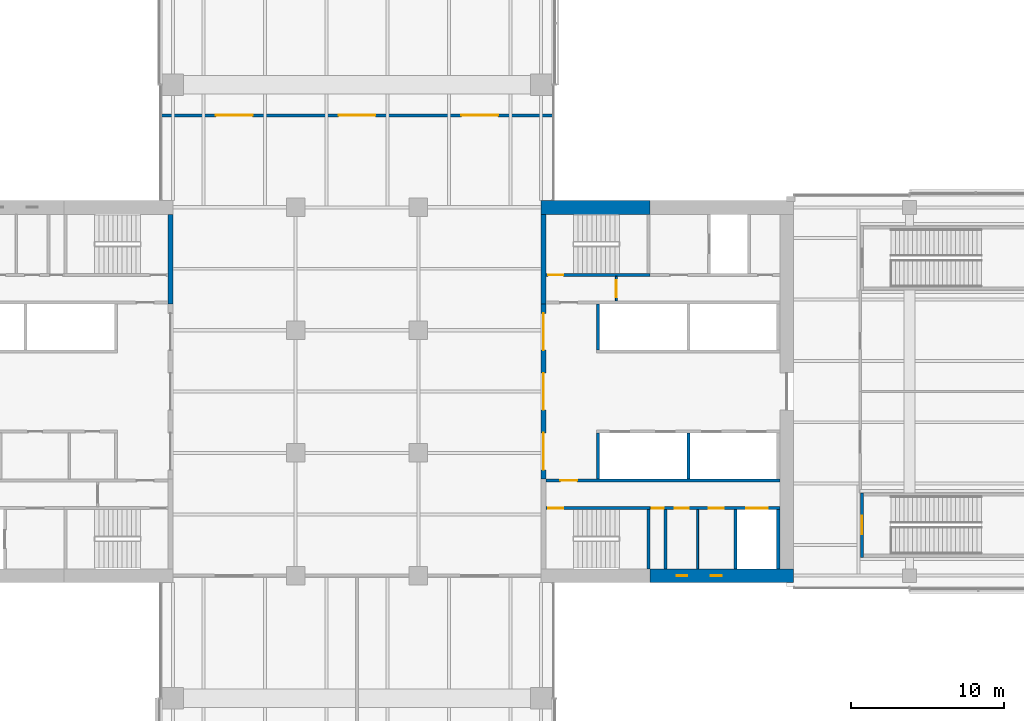
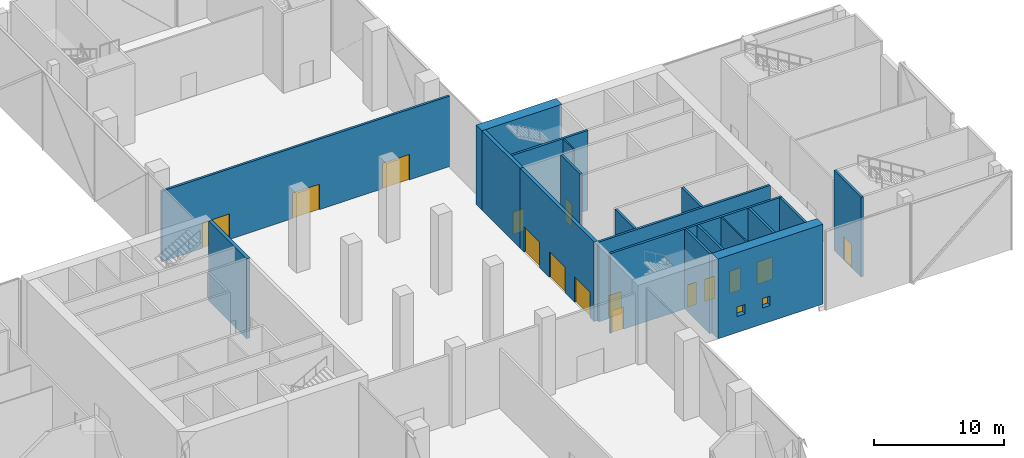
# One storey, part 16 of 25: 20 walls, 15 doors, 2 windows, 17 openings.
"""IFC4 building model written with IfcOpenShell, lengths in metres."""

from ifc_helpers import new_model, si_unit, direction, frame, frame_2d, origin, place, context, subcontext, project, spatial, rectangle, extrude, material, layer, layer_set, constituent, constituent_set, type_object, element, fill, save


model = new_model("IFC4")

# Units and contexts
model_context = context("Model", 3, precision=1e-05, world=origin(), true_north=direction((0.0, 1.0)))
body_context = subcontext(model_context, "Body", "Model", "MODEL_VIEW")
ifc_project = project(units=[si_unit("LENGTHUNIT", "METRE"), si_unit("AREAUNIT", "SQUARE_METRE"), si_unit("VOLUMEUNIT", "CUBIC_METRE"), si_unit("PLANEANGLEUNIT", "RADIAN"), si_unit("MASSUNIT", "GRAM", prefix="KILO")], contexts=[model_context])

# Site, building, storey
site_placement = place(None, origin())
site = spatial("IfcSite", under=ifc_project, at=site_placement, CompositionType="ELEMENT")
building_placement = place(site_placement, origin())
building = spatial("IfcBuilding", under=site, at=building_placement, Name="Crosswind Convention Tower", CompositionType="ELEMENT")
storey_placement = place(building_placement, frame((0.0, 0.0, 34.0)))
storey = spatial("IfcBuildingStorey", under=building, at=storey_placement, Name="L04", CompositionType="ELEMENT", Elevation=34.0)

# Wall
ifc_material_1 = material(Name="Concrete blockwork", Category="masonry")
ifc_layer_1 = layer(ifc_material_1, 0.199951171875)
ifc_layer_set_1 = layer_set([ifc_layer_1], Name="Blockwork partition wall 200")
wall_type_1 = type_object("IfcWallType", Name="Blockwork partition wall 200", PredefinedType="PARTITIONING", material=ifc_layer_set_1)
wall_1_placement = place(storey_placement, frame((145.10009765625, 88.449951171875, 0.0), z_axis=(0.0, 0.0, 1.0), x_axis=(0.0, 1.0, 0.0)))
element("IfcWall", 1, at=wall_1_placement, inside=storey, type_object=wall_type_1, Name="Wall MRSE E L04", PredefinedType="PARTITIONING", context=body_context, shape_type="SweptSolid", body=[
    extrude(rectangle(XDim=3.85009765625, YDim=0.199951171875, at=frame_2d((1.925048828125, 0.0))), origin(), (0.0, 0.0, 1.0), 7.5),
])

# Wall, openings, doors
ifc_material_2 = material(Name="Concrete C50/60", Category="concrete")
ifc_layer_2 = layer(ifc_material_2, 0.300048828125)
ifc_layer_set_2 = layer_set([ifc_layer_2], Name="Concrete C50/60")
wall_type_2 = type_object("IfcWallType", Name="Concrete inner core wall 300", PredefinedType="SHEAR", material=ifc_layer_set_2)
wall_2_placement = place(storey_placement, frame((137.14990234375, 94.300048828125, 0.0), z_axis=(0.0, 0.0, 1.0), x_axis=(0.0, 1.0, 0.0)))
wall_2 = element("IfcWall", 2, at=wall_2_placement, inside=storey, type_object=wall_type_2, Name="Wall SCR E L04", PredefinedType="SHEAR", context=body_context, shape_type="SweptSolid", body=[
    extrude(rectangle(XDim=11.39990234375, YDim=0.300048828125, at=frame_2d((5.699951171875, 0.0))), origin(), (0.0, 0.0, 1.0), 7.5),
])
opening_1_placement = place(wall_2_placement, frame((0.60009765625, 0.0, 0.0)))
opening_1 = element("IfcOpeningElement", 3, at=opening_1_placement, cuts=wall_2, Name="Opening D100", PredefinedType="OPENING", context=body_context, shape_type="SweptSolid", body=[
    extrude(rectangle(XDim=2.39990234375, YDim=2.39990234375, at=frame_2d((1.199951171875, 1.199951171875))), frame((0.0, 0.159912109375, 0.0), z_axis=(0.0, -1.0, 0.0), x_axis=(1.0, 0.0, 0.0)), (0.0, 0.0, 1.0), 0.320068359375),
])
opening_2_placement = place(wall_2_placement, frame((4.5, 0.0, 0.0)))
opening_2 = element("IfcOpeningElement", 4, at=opening_2_placement, cuts=wall_2, Name="Opening D100", PredefinedType="OPENING", context=body_context, shape_type="SweptSolid", body=[
    extrude(rectangle(XDim=2.39990234375, YDim=2.39990234375, at=frame_2d((1.199951171875, 1.199951171875))), frame((0.0, 0.159912109375, 0.0), z_axis=(0.0, -1.0, 0.0), x_axis=(1.0, 0.0, 0.0)), (0.0, 0.0, 1.0), 0.320068359375),
])
opening_3_placement = place(wall_2_placement, frame((8.39990234375, 0.0, 0.0)))
opening_3 = element("IfcOpeningElement", 5, at=opening_3_placement, cuts=wall_2, Name="Opening D100", PredefinedType="OPENING", context=body_context, shape_type="SweptSolid", body=[
    extrude(rectangle(XDim=2.39990234375, YDim=2.39990234375, at=frame_2d((1.199951171875, 1.199951171875))), frame((0.0, 0.159912109375, 0.0), z_axis=(0.0, -1.0, 0.0), x_axis=(1.0, 0.0, 0.0)), (0.0, 0.0, 1.0), 0.320068359375),
])
ifc_material_3 = material(Name="Steel fire door with glazed vision panels", Category="steel")
door_type_1 = type_object("IfcDoorType", Name="Fire-rated double door 2400x2400", OperationType="DOUBLE_DOOR_SINGLE_SWING", PredefinedType="DOOR", material=ifc_material_3)
door_1_placement = place(opening_1_placement, frame((2.39990234375, 0.0, 0.0), z_axis=(0.0, 0.0, 1.0), x_axis=(-1.0, 0.0, 0.0)))
door_1 = element("IfcDoor", 6, at=door_1_placement, inside=storey, type_object=door_type_1, Name="Lobby door 1 L04", ObjectType="D100", OperationType="DOUBLE_DOOR_SINGLE_SWING", OverallHeight=2.39990234375, OverallWidth=2.39990234375, PredefinedType="DOOR", context=body_context, shape_type="SweptSolid", body=[
    extrude(rectangle(XDim=2.39990234375, YDim=2.39990234375, at=frame_2d((1.199951171875, 1.199951171875))), frame((0.0, 0.02490234375, 0.0), z_axis=(0.0, -1.0, 0.0), x_axis=(1.0, 0.0, 0.0)), (0.0, 0.0, 1.0), 0.050048828125),
])
fill(opening_1, door_1)
door_2_placement = place(opening_2_placement, frame((2.39990234375, 0.0, 0.0), z_axis=(0.0, 0.0, 1.0), x_axis=(-1.0, 0.0, 0.0)))
door_2 = element("IfcDoor", 7, at=door_2_placement, inside=storey, type_object=door_type_1, Name="Lobby door 2 L04", ObjectType="D100", OperationType="DOUBLE_DOOR_SINGLE_SWING", OverallHeight=2.39990234375, OverallWidth=2.39990234375, PredefinedType="DOOR", context=body_context, shape_type="SweptSolid", body=[
    extrude(rectangle(XDim=2.39990234375, YDim=2.39990234375, at=frame_2d((1.199951171875, 1.199951171875))), frame((0.0, 0.02490234375, 0.0), z_axis=(0.0, -1.0, 0.0), x_axis=(1.0, 0.0, 0.0)), (0.0, 0.0, 1.0), 0.050048828125),
])
fill(opening_2, door_2)
door_3_placement = place(opening_3_placement, origin())
door_3 = element("IfcDoor", 8, at=door_3_placement, inside=storey, type_object=door_type_1, Name="Lobby door 3 L04", ObjectType="D100", OperationType="DOUBLE_DOOR_SINGLE_SWING", OverallHeight=2.39990234375, OverallWidth=2.39990234375, PredefinedType="DOOR", context=body_context, shape_type="SweptSolid", body=[
    extrude(rectangle(XDim=2.39990234375, YDim=2.39990234375, at=frame_2d((1.199951171875, 1.199951171875))), frame((0.0, 0.02490234375, 0.0), z_axis=(0.0, -1.0, 0.0), x_axis=(1.0, 0.0, 0.0)), (0.0, 0.0, 1.0), 0.050048828125),
])
fill(opening_3, door_3)

# Walls
for number, where, z_axis, x_axis, name in (
    (9, (137.14990234375, 105.699951171875, 0.0), (0.0, 0.0, 1.0), (0.0, 1.0, 0.0), "Wall EP E L04"),
    (10, (112.85009765625, 111.550048828125, 0.0), (0.0, 0.0, 1.0), (0.0, -1.0, 0.0), "Wall EM W L04"),
):
    element("IfcWall", number, at=place(storey_placement, frame(where, z_axis=z_axis, x_axis=x_axis)), inside=storey, type_object=wall_type_2, Name=name, PredefinedType="SHEAR", context=body_context, shape_type="SweptSolid", body=[
        extrude(rectangle(XDim=5.85009765625, YDim=0.300048828125, at=frame_2d((2.925048828125, 0.0))), origin(), (0.0, 0.0, 1.0), 7.5),
    ])
ifc_layer_3 = layer(ifc_material_2, 0.199951171875)
ifc_layer_set_3 = layer_set([ifc_layer_3], Name="Concrete C50/60")
wall_type_3 = type_object("IfcWallType", Name="Concrete shaft and stair wall 200", PredefinedType="SHEAR", material=ifc_layer_set_3)
for number, where, z_axis, x_axis, name in (
    (11, (140.699951171875, 102.699951171875, 0.0), (0.0, 0.0, 1.0), (0.0, 1.0, 0.0), "Wall RPEND E L04"),
    (12, (140.699951171875, 94.300048828125, 0.0), (0.0, 0.0, 1.0), (0.0, 1.0, 0.0), "Wall RMEND E L04"),
    (13, (146.60009765625, 94.300048828125, 0.0), (0.0, 0.0, 1.0), (0.0, 1.0, 0.0), "Wall RMSEP E L04"),
):
    element("IfcWall", number, at=place(storey_placement, frame(where, z_axis=z_axis, x_axis=x_axis)), inside=storey, type_object=wall_type_3, Name=name, PredefinedType="SHEAR", context=body_context, shape_type="SweptSolid", body=[
        extrude(rectangle(XDim=3.0, YDim=0.199951171875, at=frame_2d((1.5, 0.0))), origin(), (0.0, 0.0, 1.0), 7.5),
    ])

# Wall, opening, door
wall_3_placement = place(storey_placement, frame((137.300048828125, 107.60009765625, 0.0), z_axis=(0.0, 0.0, 1.0), x_axis=(1.0, 0.0, 0.0)))
wall_3 = element("IfcWall", 14, at=wall_3_placement, inside=storey, type_object=wall_type_3, Name="Wall PCW E L04", PredefinedType="SHEAR", context=body_context, shape_type="SweptSolid", body=[
    extrude(rectangle(XDim=6.800048828125, YDim=0.199951171875, at=frame_2d((3.39990234375, 0.0))), origin(), (0.0, 0.0, 1.0), 7.5),
])
opening_4_placement = place(wall_3_placement, frame((0.14990234375, 0.0, 0.0)))
opening_4 = element("IfcOpeningElement", 15, at=opening_4_placement, cuts=wall_3, Name="Opening D103", PredefinedType="OPENING", context=body_context, shape_type="SweptSolid", body=[
    extrude(rectangle(XDim=1.0, YDim=2.10009765625, at=frame_2d((0.5, 1.050048828125))), frame((0.0, 0.10986328125, 0.0), z_axis=(0.0, -1.0, 0.0), x_axis=(1.0, 0.0, 0.0)), (0.0, 0.0, 1.0), 0.219970703125),
])
ifc_material_4 = material(Name="Steel fire door", Category="steel")
door_type_2 = type_object("IfcDoorType", Name="Fire-rated single door 1000x2100", OperationType="NOTDEFINED", PredefinedType="DOOR", material=ifc_material_4)
door_4_placement = place(opening_4_placement, origin())
door_4 = element("IfcDoor", 16, at=door_4_placement, inside=storey, type_object=door_type_2, Name="Stair ST1 door L04", ObjectType="D103", OperationType="SINGLE_SWING_LEFT", OverallHeight=2.10009765625, OverallWidth=1.0, PredefinedType="DOOR", context=body_context, shape_type="SweptSolid", body=[
    extrude(rectangle(XDim=1.0, YDim=2.10009765625, at=frame_2d((0.5, 1.050048828125))), frame((0.0, 0.02490234375, 0.0), z_axis=(0.0, -1.0, 0.0), x_axis=(1.0, 0.0, 0.0)), (0.0, 0.0, 1.0), 0.050048828125),
])
fill(opening_4, door_4)

wall_4_placement = place(storey_placement, frame((137.300048828125, 94.199951171875, 0.0), z_axis=(0.0, 0.0, 1.0), x_axis=(1.0, 0.0, 0.0)))
wall_4 = element("IfcWall", 17, at=wall_4_placement, inside=storey, type_object=wall_type_3, Name="Wall HM E L04", PredefinedType="SHEAR", context=body_context, shape_type="SweptSolid", body=[
    extrude(rectangle(XDim=15.25, YDim=0.199951171875, at=frame_2d((7.625, 0.0))), origin(), (0.0, 0.0, 1.0), 7.5),
])
opening_5_placement = place(wall_4_placement, frame((0.949951171875, 0.0, 0.0)))
opening_5 = element("IfcOpeningElement", 18, at=opening_5_placement, cuts=wall_4, Name="Opening D104", PredefinedType="OPENING", context=body_context, shape_type="SweptSolid", body=[
    extrude(rectangle(XDim=1.10009765625, YDim=2.10009765625, at=frame_2d((0.550048828125, 1.050048828125))), frame((0.0, 0.10986328125, 0.0), z_axis=(0.0, -1.0, 0.0), x_axis=(1.0, 0.0, 0.0)), (0.0, 0.0, 1.0), 0.219970703125),
])
door_type_3 = type_object("IfcDoorType", Name="Fire-rated single door 1100x2100", OperationType="NOTDEFINED", PredefinedType="DOOR", material=ifc_material_4)
door_5_placement = place(opening_5_placement, frame((1.10009765625, 0.0, 0.0), z_axis=(0.0, 0.0, 1.0), x_axis=(-1.0, 0.0, 0.0)))
door_5 = element("IfcDoor", 19, at=door_5_placement, inside=storey, type_object=door_type_3, Name="Corridor door L04", ObjectType="D104", OperationType="SINGLE_SWING_RIGHT", OverallHeight=2.10009765625, OverallWidth=1.10009765625, PredefinedType="DOOR", context=body_context, shape_type="SweptSolid", body=[
    extrude(rectangle(XDim=1.10009765625, YDim=2.10009765625, at=frame_2d((0.550048828125, 1.050048828125))), frame((0.0, 0.02490234375, 0.0), z_axis=(0.0, -1.0, 0.0), x_axis=(1.0, 0.0, 0.0)), (0.0, 0.0, 1.0), 0.050048828125),
])
fill(opening_5, door_5)

# Walls
for number, where, z_axis, x_axis, name in (
    (20, (144.0, 88.449951171875, 0.0), (0.0, 0.0, 1.0), (0.0, 1.0, 0.0), "Wall MSE E L04"),
    (21, (149.64990234375, 88.449951171875, 0.0), (0.0, 0.0, 1.0), (0.0, 1.0, 0.0), "Wall MFSW E L04"),
    (22, (152.449951171875, 88.449951171875, 0.0), (0.0, 0.0, 1.0), (0.0, 1.0, 0.0), "Wall MFSE E L04"),
):
    element("IfcWall", number, at=place(storey_placement, frame(where, z_axis=z_axis, x_axis=x_axis)), inside=storey, type_object=wall_type_3, Name=name, PredefinedType="SHEAR", context=body_context, shape_type="SweptSolid", body=[
        extrude(rectangle(XDim=3.85009765625, YDim=0.199951171875, at=frame_2d((1.925048828125, 0.0))), origin(), (0.0, 0.0, 1.0), 7.5),
    ])

# Wall, opening, door
wall_5_placement = place(storey_placement, frame((137.300048828125, 92.39990234375, 0.0), z_axis=(0.0, 0.0, 1.0), x_axis=(1.0, 0.0, 0.0)))
wall_5 = element("IfcWall", 23, at=wall_5_placement, inside=storey, type_object=wall_type_3, Name="Wall MCW E L04", PredefinedType="SHEAR", context=body_context, shape_type="SweptSolid", body=[
    extrude(rectangle(XDim=6.800048828125, YDim=0.199951171875, at=frame_2d((3.39990234375, 0.0))), origin(), (0.0, 0.0, 1.0), 7.5),
])
opening_6_placement = place(wall_5_placement, frame((0.14990234375, 0.0, 0.0)))
opening_6 = element("IfcOpeningElement", 24, at=opening_6_placement, cuts=wall_5, Name="Opening D103", PredefinedType="OPENING", context=body_context, shape_type="SweptSolid", body=[
    extrude(rectangle(XDim=1.0, YDim=2.10009765625, at=frame_2d((0.5, 1.050048828125))), frame((0.0, 0.10986328125, 0.0), z_axis=(0.0, -1.0, 0.0), x_axis=(1.0, 0.0, 0.0)), (0.0, 0.0, 1.0), 0.219970703125),
])
door_6_placement = place(opening_6_placement, frame((1.0, 0.0, 0.0), z_axis=(0.0, 0.0, 1.0), x_axis=(-1.0, 0.0, 0.0)))
door_6 = element("IfcDoor", 25, at=door_6_placement, inside=storey, type_object=door_type_2, Name="Stair ST2 door L04", ObjectType="D103", OperationType="SINGLE_SWING_RIGHT", OverallHeight=2.10009765625, OverallWidth=1.0, PredefinedType="DOOR", context=body_context, shape_type="SweptSolid", body=[
    extrude(rectangle(XDim=1.0, YDim=2.10009765625, at=frame_2d((0.5, 1.050048828125))), frame((0.0, 0.02490234375, 0.0), z_axis=(0.0, -1.0, 0.0), x_axis=(1.0, 0.0, 0.0)), (0.0, 0.0, 1.0), 0.050048828125),
])
fill(opening_6, door_6)

# Wall, openings, doors
wall_6_placement = place(storey_placement, frame((144.10009765625, 92.39990234375, 0.0), z_axis=(0.0, 0.0, 1.0), x_axis=(1.0, 0.0, 0.0)))
wall_6 = element("IfcWall", 26, at=wall_6_placement, inside=storey, type_object=wall_type_3, Name="Wall MCX E L04", PredefinedType="SHEAR", context=body_context, shape_type="SweptSolid", body=[
    extrude(rectangle(XDim=8.449951171875, YDim=0.199951171875, at=frame_2d((4.22509765625, 0.0))), origin(), (0.0, 0.0, 1.0), 7.5),
])
opening_7_placement = place(wall_6_placement, frame((0.10009765625, 0.0, 0.0)))
opening_7 = element("IfcOpeningElement", 27, at=opening_7_placement, cuts=wall_6, Name="Opening D105", PredefinedType="OPENING", context=body_context, shape_type="SweptSolid", body=[
    extrude(rectangle(XDim=0.800048828125, YDim=2.10009765625, at=frame_2d((0.39990234375, 1.050048828125))), frame((0.0, 0.10986328125, 0.0), z_axis=(0.0, -1.0, 0.0), x_axis=(1.0, 0.0, 0.0)), (0.0, 0.0, 1.0), 0.219970703125),
])
opening_8_placement = place(wall_6_placement, frame((1.619140625, 0.0, 0.0)))
opening_8 = element("IfcOpeningElement", 28, at=opening_8_placement, cuts=wall_6, Name="Opening D106", PredefinedType="OPENING", context=body_context, shape_type="SweptSolid", body=[
    extrude(rectangle(XDim=0.89990234375, YDim=2.10009765625, at=frame_2d((0.449951171875, 1.050048828125))), frame((0.0, 0.10986328125, 0.0), z_axis=(0.0, -1.0, 0.0), x_axis=(1.0, 0.0, 0.0)), (0.0, 0.0, 1.0), 0.219970703125),
])
opening_9_placement = place(wall_6_placement, frame((3.806640625, 0.0, 0.0)))
opening_9 = element("IfcOpeningElement", 29, at=opening_9_placement, cuts=wall_6, Name="Opening D103", PredefinedType="OPENING", context=body_context, shape_type="SweptSolid", body=[
    extrude(rectangle(XDim=1.0, YDim=2.10009765625, at=frame_2d((0.5, 1.050048828125))), frame((0.0, 0.10986328125, 0.0), z_axis=(0.0, -1.0, 0.0), x_axis=(1.0, 0.0, 0.0)), (0.0, 0.0, 1.0), 0.219970703125),
])
opening_10_placement = place(wall_6_placement, frame((6.25, 0.0, 0.0)))
opening_10 = element("IfcOpeningElement", 30, at=opening_10_placement, cuts=wall_6, Name="Opening LD2", PredefinedType="OPENING", context=body_context, shape_type="SweptSolid", body=[
    extrude(rectangle(XDim=1.39990234375, YDim=2.10009765625, at=frame_2d((0.699951171875, 1.050048828125))), frame((0.0, 0.10986328125, 0.0), z_axis=(0.0, -1.0, 0.0), x_axis=(1.0, 0.0, 0.0)), (0.0, 0.0, 1.0), 0.219970703125),
])
door_7_placement = place(opening_9_placement, frame((1.0, 0.0, 0.0), z_axis=(0.0, 0.0, 1.0), x_axis=(-1.0, 0.0, 0.0)))
door_7 = element("IfcDoor", 31, at=door_7_placement, inside=storey, type_object=door_type_2, Name="Door to accessible wc L04", ObjectType="D103", OperationType="SINGLE_SWING_LEFT", OverallHeight=2.10009765625, OverallWidth=1.0, PredefinedType="DOOR", context=body_context, shape_type="SweptSolid", body=[
    extrude(rectangle(XDim=1.0, YDim=2.10009765625, at=frame_2d((0.5, 1.050048828125))), frame((0.0, 0.02490234375, 0.0), z_axis=(0.0, -1.0, 0.0), x_axis=(1.0, 0.0, 0.0)), (0.0, 0.0, 1.0), 0.050048828125),
])
fill(opening_9, door_7)
ifc_material_5 = material(Name="Stainless steel", Category="steel")
door_type_4 = type_object("IfcDoorType", Name="Lift landing door 1400x2100", OperationType="DOUBLE_DOOR_SLIDING", PredefinedType="DOOR", material=ifc_material_5)
door_8_placement = place(opening_10_placement, origin())
door_8 = element("IfcDoor", 32, at=door_8_placement, inside=storey, type_object=door_type_4, Name="Landing door SV1 L04", ObjectType="LD2", OperationType="DOUBLE_DOOR_SLIDING", OverallHeight=2.10009765625, OverallWidth=1.39990234375, PredefinedType="DOOR", context=body_context, shape_type="SweptSolid", body=[
    extrude(rectangle(XDim=1.39990234375, YDim=2.10009765625, at=frame_2d((0.699951171875, 1.050048828125))), frame((0.0, 0.02490234375, 0.0), z_axis=(0.0, -1.0, 0.0), x_axis=(1.0, 0.0, 0.0)), (0.0, 0.0, 1.0), 0.050048828125),
])
fill(opening_10, door_8)
door_type_5 = type_object("IfcDoorType", Name="Riser access door 800x2100", OperationType="NOTDEFINED", PredefinedType="DOOR", material=ifc_material_4)
door_9_placement = place(opening_7_placement, frame((0.800048828125, 0.0, 0.0), z_axis=(0.0, 0.0, 1.0), x_axis=(-1.0, 0.0, 0.0)))
door_9 = element("IfcDoor", 33, at=door_9_placement, inside=storey, type_object=door_type_5, Name="Riser door L04", ObjectType="D105", OperationType="SINGLE_SWING_LEFT", OverallHeight=2.10009765625, OverallWidth=0.800048828125, PredefinedType="DOOR", context=body_context, shape_type="SweptSolid", body=[
    extrude(rectangle(XDim=0.800048828125, YDim=2.10009765625, at=frame_2d((0.39990234375, 1.050048828125))), frame((0.0, 0.02490234375, 0.0), z_axis=(0.0, -1.0, 0.0), x_axis=(1.0, 0.0, 0.0)), (0.0, 0.0, 1.0), 0.050048828125),
])
fill(opening_7, door_9)
ifc_material_6 = material(Name="Timber door", Category="wood")
door_type_6 = type_object("IfcDoorType", Name="Single leaf door 900x2100", OperationType="NOTDEFINED", PredefinedType="DOOR", material=ifc_material_6)
door_10_placement = place(opening_8_placement, frame((0.89990234375, 0.0, 0.0), z_axis=(0.0, 0.0, 1.0), x_axis=(-1.0, 0.0, 0.0)))
door_10 = element("IfcDoor", 34, at=door_10_placement, inside=storey, type_object=door_type_6, Name="Door to wc L04", ObjectType="D106", OperationType="SINGLE_SWING_LEFT", OverallHeight=2.10009765625, OverallWidth=0.89990234375, PredefinedType="DOOR", context=body_context, shape_type="SweptSolid", body=[
    extrude(rectangle(XDim=0.89990234375, YDim=2.10009765625, at=frame_2d((0.449951171875, 1.050048828125))), frame((0.0, 0.02490234375, 0.0), z_axis=(0.0, -1.0, 0.0), x_axis=(1.0, 0.0, 0.0)), (0.0, 0.0, 1.0), 0.050048828125),
])
fill(opening_8, door_10)

# Wall, opening, door
ifc_material_7 = material(Name="Gypsum plasterboard partition", Category="gypsum")
ifc_layer_4 = layer(ifc_material_7, 0.125)
ifc_layer_set_4 = layer_set([ifc_layer_4], Name="Drywall partition wall 125")
wall_type_4 = type_object("IfcWallType", Name="Drywall partition wall 125", PredefinedType="PARTITIONING", material=ifc_layer_set_4)
wall_7_placement = place(storey_placement, frame((141.89990234375, 105.89990234375, 0.0), z_axis=(0.0, 0.0, 1.0), x_axis=(0.0, 1.0, 0.0)))
wall_7 = element("IfcWall", 35, at=wall_7_placement, inside=storey, type_object=wall_type_4, Name="Wall PXC1 E L04", PredefinedType="PARTITIONING", context=body_context, shape_type="SweptSolid", body=[
    extrude(rectangle(XDim=1.60009765625, YDim=0.125, at=frame_2d((0.800048828125, 0.0))), origin(), (0.0, 0.0, 1.0), 7.5),
])
opening_11_placement = place(wall_7_placement, frame((0.25, 0.0, 0.0)))
opening_11 = element("IfcOpeningElement", 36, at=opening_11_placement, cuts=wall_7, Name="Opening D104", PredefinedType="OPENING", context=body_context, shape_type="SweptSolid", body=[
    extrude(rectangle(XDim=1.10009765625, YDim=2.10009765625, at=frame_2d((0.550048828125, 1.050048828125))), frame((0.0, 0.072509765625, 0.0), z_axis=(0.0, -1.0, 0.0), x_axis=(1.0, 0.0, 0.0)), (0.0, 0.0, 1.0), 0.14501953125),
])
door_11_placement = place(opening_11_placement, frame((1.10009765625, 0.0, 0.0), z_axis=(0.0, 0.0, 1.0), x_axis=(-1.0, 0.0, 0.0)))
door_11 = element("IfcDoor", 37, at=door_11_placement, inside=storey, type_object=door_type_3, Name="Corridor smoke door L04", ObjectType="D104", OperationType="SINGLE_SWING_LEFT", OverallHeight=2.10009765625, OverallWidth=1.10009765625, PredefinedType="DOOR", context=body_context, shape_type="SweptSolid", body=[
    extrude(rectangle(XDim=1.10009765625, YDim=2.10009765625, at=frame_2d((0.550048828125, 1.050048828125))), frame((0.0, 0.02490234375, 0.0), z_axis=(0.0, -1.0, 0.0), x_axis=(1.0, 0.0, 0.0)), (0.0, 0.0, 1.0), 0.050048828125),
])
fill(opening_11, door_11)

# Wall
wall_8_placement = place(storey_placement, frame((147.200927734375, 88.449951171875, 0.0), z_axis=(0.0, 0.0, 1.0), x_axis=(0.0, 1.0, 0.0)))
element("IfcWall", 38, at=wall_8_placement, inside=storey, type_object=wall_type_4, Name="Wall MWP1 E L04", PredefinedType="PARTITIONING", context=body_context, shape_type="SweptSolid", body=[
    extrude(rectangle(XDim=3.85009765625, YDim=0.125, at=frame_2d((1.925048828125, 0.0))), origin(), (0.0, 0.0, 1.0), 7.5),
])

# Wall, openings, doors
ifc_material_8 = material(Name="Double plasterboard partition", Category="gypsum")
ifc_layer_5 = layer(ifc_material_8, 0.199951171875)
ifc_layer_set_5 = layer_set([ifc_layer_5], Name="HALL WALL 200")
wall_type_5 = type_object("IfcWallType", Name="HALL WALL 200", PredefinedType="PARTITIONING", material=ifc_layer_set_5)
wall_9_placement = place(storey_placement, frame((112.199951171875, 118.0, 0.0), z_axis=(0.0, 0.0, 1.0), x_axis=(1.0, 0.0, 0.0)))
wall_9 = element("IfcWall", 39, at=wall_9_placement, inside=storey, type_object=wall_type_5, Name="Hall Wall 19", PredefinedType="PARTITIONING", context=body_context, shape_type="SweptSolid", body=[
    extrude(rectangle(XDim=25.60009765625, YDim=0.199951171875, at=frame_2d((12.800048828125, 0.0))), origin(), (0.0, 0.0, 1.0), 6.63232421875),
])
opening_12_placement = place(wall_9_placement, frame((3.60009765625, 0.0, 0.0)))
opening_12 = element("IfcOpeningElement", 40, at=opening_12_placement, cuts=wall_9, Name="Opening 04.001", PredefinedType="OPENING", context=body_context, shape_type="SweptSolid", body=[
    extrude(rectangle(XDim=2.39990234375, YDim=2.39990234375, at=frame_2d((1.199951171875, 1.199951171875))), frame((0.0, 0.10986328125, 0.0), z_axis=(0.0, -1.0, 0.0), x_axis=(1.0, 0.0, 0.0)), (0.0, 0.0, 1.0), 0.219970703125),
])
opening_13_placement = place(wall_9_placement, frame((11.60009765625, 0.0, 0.0)))
opening_13 = element("IfcOpeningElement", 41, at=opening_13_placement, cuts=wall_9, Name="Opening 04.002", PredefinedType="OPENING", context=body_context, shape_type="SweptSolid", body=[
    extrude(rectangle(XDim=2.39990234375, YDim=2.39990234375, at=frame_2d((1.199951171875, 1.199951171875))), frame((0.0, 0.10986328125, 0.0), z_axis=(0.0, -1.0, 0.0), x_axis=(1.0, 0.0, 0.0)), (0.0, 0.0, 1.0), 0.219970703125),
])
opening_14_placement = place(wall_9_placement, frame((19.60009765625, 0.0, 0.0)))
opening_14 = element("IfcOpeningElement", 42, at=opening_14_placement, cuts=wall_9, Name="Opening 04.003", PredefinedType="OPENING", context=body_context, shape_type="SweptSolid", body=[
    extrude(rectangle(XDim=2.39990234375, YDim=2.39990234375, at=frame_2d((1.199951171875, 1.199951171875))), frame((0.0, 0.10986328125, 0.0), z_axis=(0.0, -1.0, 0.0), x_axis=(1.0, 0.0, 0.0)), (0.0, 0.0, 1.0), 0.219970703125),
])
ifc_material_9 = material(Name="Timber fire door", Category="wood")
door_type_7 = type_object("IfcDoorType", Name="BALLROOM DOUBLE DOOR 2400X2400", OperationType="DOUBLE_DOOR_SINGLE_SWING", PredefinedType="DOOR", material=ifc_material_9)
door_12_placement = place(opening_12_placement, frame((2.39990234375, 0.0, 0.0), z_axis=(0.0, 0.0, 1.0), x_axis=(-1.0, 0.0, 0.0)))
door_12 = element("IfcDoor", 43, at=door_12_placement, inside=storey, type_object=door_type_7, Name="Door 04.001", ObjectType="D8", OperationType="DOUBLE_DOOR_SINGLE_SWING", OverallHeight=2.39990234375, OverallWidth=2.39990234375, PredefinedType="DOOR", context=body_context, shape_type="SweptSolid", body=[
    extrude(rectangle(XDim=2.39990234375, YDim=2.39990234375, at=frame_2d((1.199951171875, 1.199951171875))), frame((0.0, 0.02490234375, 0.0), z_axis=(0.0, -1.0, 0.0), x_axis=(1.0, 0.0, 0.0)), (0.0, 0.0, 1.0), 0.050048828125),
])
fill(opening_12, door_12)
door_13_placement = place(opening_13_placement, frame((2.39990234375, 0.0, 0.0), z_axis=(0.0, 0.0, 1.0), x_axis=(-1.0, 0.0, 0.0)))
door_13 = element("IfcDoor", 44, at=door_13_placement, inside=storey, type_object=door_type_7, Name="Door 04.002", ObjectType="D8", OperationType="DOUBLE_DOOR_SINGLE_SWING", OverallHeight=2.39990234375, OverallWidth=2.39990234375, PredefinedType="DOOR", context=body_context, shape_type="SweptSolid", body=[
    extrude(rectangle(XDim=2.39990234375, YDim=2.39990234375, at=frame_2d((1.199951171875, 1.199951171875))), frame((0.0, 0.02490234375, 0.0), z_axis=(0.0, -1.0, 0.0), x_axis=(1.0, 0.0, 0.0)), (0.0, 0.0, 1.0), 0.050048828125),
])
fill(opening_13, door_13)
door_14_placement = place(opening_14_placement, frame((2.39990234375, 0.0, 0.0), z_axis=(0.0, 0.0, 1.0), x_axis=(-1.0, 0.0, 0.0)))
door_14 = element("IfcDoor", 45, at=door_14_placement, inside=storey, type_object=door_type_7, Name="Door 04.003", ObjectType="D8", OperationType="DOUBLE_DOOR_SINGLE_SWING", OverallHeight=2.39990234375, OverallWidth=2.39990234375, PredefinedType="DOOR", context=body_context, shape_type="SweptSolid", body=[
    extrude(rectangle(XDim=2.39990234375, YDim=2.39990234375, at=frame_2d((1.199951171875, 1.199951171875))), frame((0.0, 0.02490234375, 0.0), z_axis=(0.0, -1.0, 0.0), x_axis=(1.0, 0.0, 0.0)), (0.0, 0.0, 1.0), 0.050048828125),
])
fill(opening_14, door_14)

# Wall, opening, door
ifc_material_10 = material(Name="Concrete C40/50", Category="concrete")
ifc_layer_6 = layer(ifc_material_10, 0.199951171875)
ifc_layer_set_6 = layer_set([ifc_layer_6], Name="Concrete C40/50")
wall_type_6 = type_object("IfcWallType", Name="STAIR ENCLOSURE WALL 200", PredefinedType="SOLIDWALL", material=ifc_layer_set_6)
wall_10_placement = place(storey_placement, frame((157.89990234375, 89.199951171875, 0.0), z_axis=(0.0, 0.0, 1.0), x_axis=(0.0, 1.0, 0.0)))
wall_10 = element("IfcWall", 46, at=wall_10_placement, inside=storey, type_object=wall_type_6, Name="Stair Enclosure Wall 41", PredefinedType="SOLIDWALL", context=body_context, shape_type="SweptSolid", body=[
    extrude(rectangle(XDim=4.199951171875, YDim=0.199951171875, at=frame_2d((2.10009765625, 0.0))), origin(), (0.0, 0.0, 1.0), 7.5),
])
opening_15_placement = place(wall_10_placement, frame((1.5, 0.0, 0.0)))
opening_15 = element("IfcOpeningElement", 47, at=opening_15_placement, cuts=wall_10, Name="Opening 04.013", PredefinedType="OPENING", context=body_context, shape_type="SweptSolid", body=[
    extrude(rectangle(XDim=1.199951171875, YDim=2.199951171875, at=frame_2d((0.60009765625, 1.10009765625))), frame((0.0, 0.10986328125, 0.0), z_axis=(0.0, -1.0, 0.0), x_axis=(1.0, 0.0, 0.0)), (0.0, 0.0, 1.0), 0.219970703125),
])
door_type_8 = type_object("IfcDoorType", Name="STAIR DOOR 1200X2200", OperationType="NOTDEFINED", PredefinedType="DOOR", material=ifc_material_4)
door_15_placement = place(opening_15_placement, frame((1.199951171875, 0.0, 0.0), z_axis=(0.0, 0.0, 1.0), x_axis=(-1.0, 0.0, 0.0)))
door_15 = element("IfcDoor", 48, at=door_15_placement, inside=storey, type_object=door_type_8, Name="Door 04.013", ObjectType="D4", OperationType="SINGLE_SWING_LEFT", OverallHeight=2.199951171875, OverallWidth=1.199951171875, PredefinedType="DOOR", context=body_context, shape_type="SweptSolid", body=[
    extrude(rectangle(XDim=1.199951171875, YDim=2.199951171875, at=frame_2d((0.60009765625, 1.10009765625))), frame((0.0, 0.02490234375, 0.0), z_axis=(0.0, -1.0, 0.0), x_axis=(1.0, 0.0, 0.0)), (0.0, 0.0, 1.0), 0.050048828125),
])
fill(opening_15, door_15)

# Wall
ifc_material_11 = material(Name="Concrete C60/75", Category="concrete")
ifc_constituent_1 = constituent(ifc_material_11, Name="Structure")
ifc_material_12 = material(Name="Terracotta rainscreen", Category="ceramic")
ifc_constituent_2 = constituent(ifc_material_12, Name="Facing")
ifc_constituent_set = constituent_set(constituents=[ifc_constituent_1, ifc_constituent_2], Name="Concrete C60/75, Terracotta rainscreen")
wall_type_7 = type_object("IfcWallType", Name="Terracotta rainscreen on concrete core wall 900", PredefinedType="SHEAR", material=ifc_constituent_set)
wall_11_placement = place(storey_placement, frame((137.0, 112.0, 0.0), z_axis=(0.0, 0.0, 1.0), x_axis=(1.0, 0.0, 0.0)))
element("IfcWall", 49, at=wall_11_placement, inside=storey, type_object=wall_type_7, Name="Wall N1 E L04", PredefinedType="SHEAR", context=body_context, shape_type="SweptSolid", body=[
    extrude(rectangle(XDim=7.10009765625, YDim=0.89990234375, at=frame_2d((3.550048828125, 0.0))), origin(), (0.0, 0.0, 1.0), 7.5),
])

# Wall, openings, windows
wall_12_placement = place(storey_placement, frame((144.10009765625, 88.0, 0.0), z_axis=(0.0, 0.0, 1.0), x_axis=(1.0, 0.0, 0.0)))
wall_12 = element("IfcWall", 50, at=wall_12_placement, inside=storey, type_object=wall_type_7, Name="Wall S2 E L04", PredefinedType="SHEAR", context=body_context, shape_type="SweptSolid", body=[
    extrude(rectangle(XDim=9.349853515625, YDim=0.89990234375, at=frame_2d((4.6748046875, 0.0))), origin(), (0.0, 0.0, 1.0), 7.5),
])
opening_16_placement = place(wall_12_placement, frame((1.71923828125, 0.0, 1.5)))
opening_16 = element("IfcOpeningElement", 51, at=opening_16_placement, cuts=wall_12, Name="Opening W2", PredefinedType="OPENING", context=body_context, shape_type="SweptSolid", body=[
    extrude(rectangle(XDim=0.699951171875, YDim=0.89990234375, at=frame_2d((0.35009765625, 0.449951171875))), frame((0.0, 0.4599609375, 0.0), z_axis=(0.0, -1.0, 0.0), x_axis=(1.0, 0.0, 0.0)), (0.0, 0.0, 1.0), 0.919921875),
])
opening_17_placement = place(wall_12_placement, frame((3.956787109375, 0.0, 1.5)))
opening_17 = element("IfcOpeningElement", 52, at=opening_17_placement, cuts=wall_12, Name="Opening W2", PredefinedType="OPENING", context=body_context, shape_type="SweptSolid", body=[
    extrude(rectangle(XDim=0.699951171875, YDim=0.89990234375, at=frame_2d((0.35009765625, 0.449951171875))), frame((0.0, 0.4599609375, 0.0), z_axis=(0.0, -1.0, 0.0), x_axis=(1.0, 0.0, 0.0)), (0.0, 0.0, 1.0), 0.919921875),
])
ifc_material_13 = material(Name="Obscure glass in aluminium frame", Category="aluminium")
window_type = type_object("IfcWindowType", Name="WC window 700x900", PartitioningType="SINGLE_PANEL", PredefinedType="WINDOW", material=ifc_material_13)
window_1_placement = place(opening_16_placement, origin())
window_1 = element("IfcWindow", 53, at=window_1_placement, inside=storey, type_object=window_type, Name="WC window L04", ObjectType="W2", OverallHeight=0.89990234375, OverallWidth=0.699951171875, PartitioningType="SINGLE_PANEL", PredefinedType="WINDOW", context=body_context, shape_type="SweptSolid", body=[
    extrude(rectangle(XDim=0.699951171875, YDim=0.89990234375, at=frame_2d((0.35009765625, 0.449951171875))), frame((0.0, 0.030029296875, 0.0), z_axis=(0.0, -1.0, 0.0), x_axis=(1.0, 0.0, 0.0)), (0.0, 0.0, 1.0), 0.06005859375),
])
fill(opening_16, window_1)
window_2_placement = place(opening_17_placement, origin())
window_2 = element("IfcWindow", 54, at=window_2_placement, inside=storey, type_object=window_type, Name="WC window L04", ObjectType="W2", OverallHeight=0.89990234375, OverallWidth=0.699951171875, PartitioningType="SINGLE_PANEL", PredefinedType="WINDOW", context=body_context, shape_type="SweptSolid", body=[
    extrude(rectangle(XDim=0.699951171875, YDim=0.89990234375, at=frame_2d((0.35009765625, 0.449951171875))), frame((0.0, 0.030029296875, 0.0), z_axis=(0.0, -1.0, 0.0), x_axis=(1.0, 0.0, 0.0)), (0.0, 0.0, 1.0), 0.06005859375),
])
fill(opening_17, window_2)

save(model, "model.ifc")
